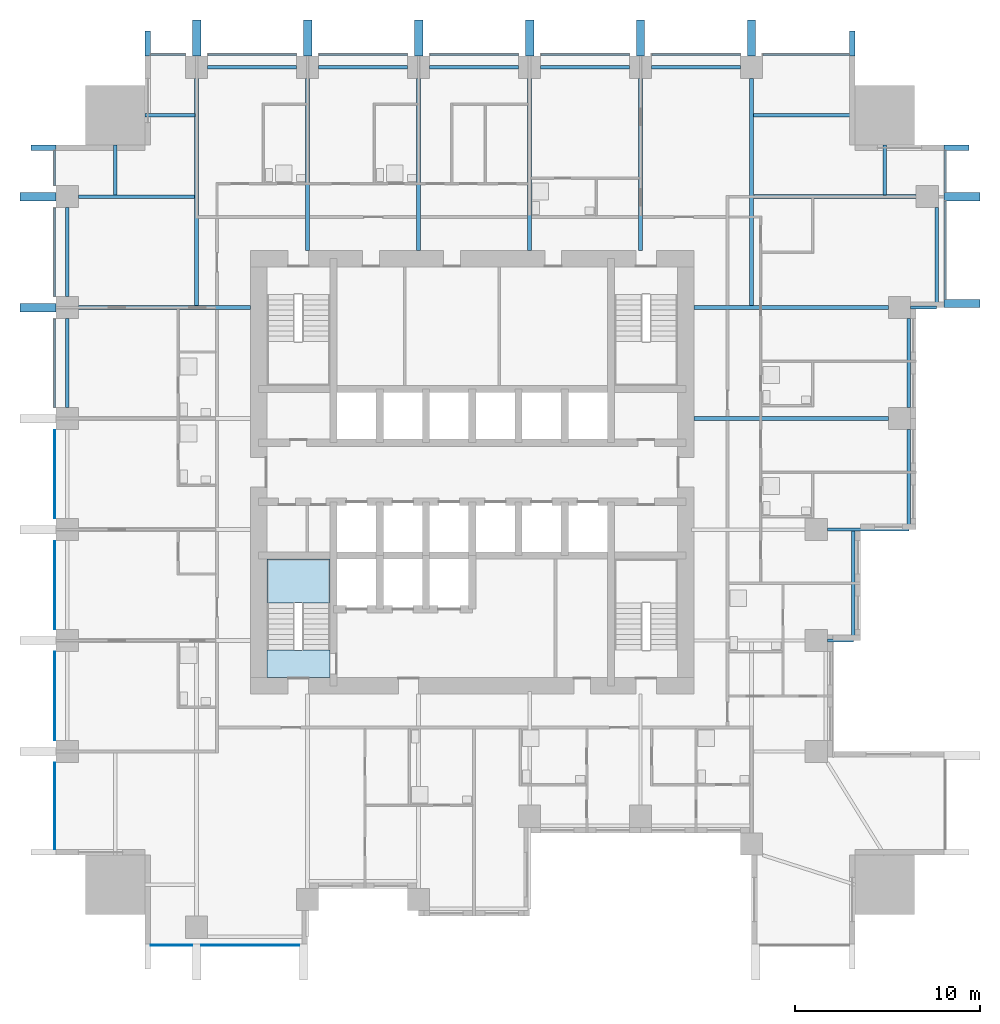
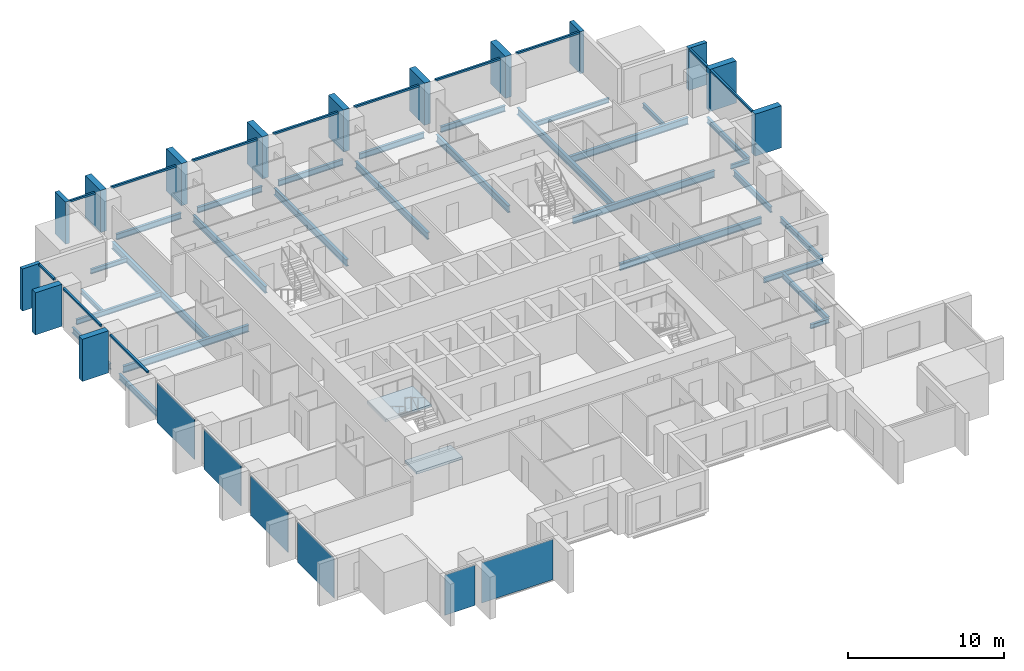
# One storey, part 2 of 10: 29 beams, 26 members, 6 plates, 2 slabs, 5 elements without a shape of their own.
"""IFC4 building model written with IfcOpenShell, lengths in metres."""

from ifc_helpers import new_model, si_unit, direction, frame, origin, origin_2d, place, context, subcontext, project, spatial, polyline, rectangle, i_section, outline, extrude, material, layer, layer_set, material_profile, profile_set, type_object, element, aggregate, save


model = new_model("IFC4")

# Units and contexts
model_context = context("Model", 3, precision=1e-05, world=origin(), true_north=direction((0.0, 1.0)))
body_context = subcontext(model_context, "Body", "Model", "MODEL_VIEW")
ifc_project = project(units=[si_unit("LENGTHUNIT", "METRE"), si_unit("AREAUNIT", "SQUARE_METRE"), si_unit("VOLUMEUNIT", "CUBIC_METRE"), si_unit("PLANEANGLEUNIT", "RADIAN"), si_unit("MASSUNIT", "GRAM", prefix="KILO")], contexts=[model_context])

# Site, building, storey
site_placement = place(None, origin())
site = spatial("IfcSite", under=ifc_project, at=site_placement, CompositionType="ELEMENT")
building_placement = place(site_placement, origin())
building = spatial("IfcBuilding", under=site, at=building_placement, Name="Amberfall Residences", CompositionType="ELEMENT")
storey_placement = place(building_placement, frame((0.0, 0.0, 49.89990234375)))
storey = spatial("IfcBuildingStorey", under=building, at=storey_placement, Name="L13", CompositionType="ELEMENT", Elevation=49.89990234375)

# Curtain wall, members
ifc_material_1 = material(Name="Bronze anodised aluminium and glass", Category="aluminium")
curtain_wall_type = type_object("IfcCurtainWallType", Name="Curtain wall CW1 tower unit", PredefinedType="USERDEFINED", material=ifc_material_1)
curtain_wall_1_placement = place(storey_placement, origin())
curtain_wall_1 = element("IfcCurtainWall", 1, at=curtain_wall_1_placement, inside=storey, type_object=curtain_wall_type, Name="Curtain wall L13 E E10", ObjectType="UNITISED CURTAIN WALL", PredefinedType="USERDEFINED")
ifc_material_2 = material(Name="Bronze anodised aluminium", Category="aluminium")
ifc_material_profile_1 = material_profile(ifc_material_2, rectangle(XDim=0.14990234375, YDim=0.14990234375, at=origin_2d()), Name="CW1 transom 150 x 150 bronze")
ifc_profile_set_1 = profile_set([ifc_material_profile_1], Name="Bronze anodised aluminium")
member_type_1 = type_object("IfcMemberType", Name="CW1 transom 150 x 150 bronze", PredefinedType="USERDEFINED", material=ifc_profile_set_1)
member_1_placement = place(storey_placement, frame((100.074951171875, 54.85009765625, 2.97509765625), z_axis=(0.0, 1.0, 0.0), x_axis=(-1.0, 0.0, 0.0)))
member_1 = element("IfcMember", 2, at=member_1_placement, type_object=member_type_1, Name="CW1 transom 1.1", ObjectType="TRANSOM", PredefinedType="USERDEFINED", context=body_context, shape_type="SweptSolid", body=[
    extrude(rectangle(XDim=0.14990234375, YDim=0.14990234375, at=origin_2d()), origin(), (0.0, 0.0, 1.0), 5.324951171875),
])
member_2_placement = place(storey_placement, frame((100.074951171875, 60.625, 2.97509765625), z_axis=(0.0, 1.0, 0.0), x_axis=(-1.0, 0.0, 0.0)))
member_2 = element("IfcMember", 3, at=member_2_placement, type_object=member_type_1, Name="CW1 transom 2.1", ObjectType="TRANSOM", PredefinedType="USERDEFINED", context=body_context, shape_type="SweptSolid", body=[
    extrude(rectangle(XDim=0.14990234375, YDim=0.14990234375, at=origin_2d()), origin(), (0.0, 0.0, 1.0), 2.27490234375),
])

curtain_wall_2_placement = place(storey_placement, origin())
curtain_wall_2 = element("IfcCurtainWall", 4, at=curtain_wall_2_placement, inside=storey, type_object=curtain_wall_type, Name="Curtain wall L13 N N1", ObjectType="UNITISED CURTAIN WALL", PredefinedType="USERDEFINED")
member_3_placement = place(storey_placement, frame((94.89990234375, 68.074951171875, 2.97509765625), z_axis=(-1.0, 0.0, 0.0), x_axis=(0.0, -1.0, 0.0)))
member_3 = element("IfcMember", 5, at=member_3_placement, type_object=member_type_1, Name="CW1 transom 1.1", ObjectType="TRANSOM", PredefinedType="USERDEFINED", context=body_context, shape_type="SweptSolid", body=[
    extrude(rectangle(XDim=0.14990234375, YDim=0.14990234375, at=origin_2d()), origin(), (0.0, 0.0, 1.0), 4.69482421875),
])
member_4_placement = place(storey_placement, frame((88.9951171875, 68.074951171875, 2.97509765625), z_axis=(-1.0, 0.0, 0.0), x_axis=(0.0, -1.0, 0.0)))
member_4 = element("IfcMember", 6, at=member_4_placement, type_object=member_type_1, Name="CW1 transom 2.1", ObjectType="TRANSOM", PredefinedType="USERDEFINED", context=body_context, shape_type="SweptSolid", body=[
    extrude(rectangle(XDim=0.14990234375, YDim=0.14990234375, at=origin_2d()), origin(), (0.0, 0.0, 1.0), 4.7900390625),
])
member_5_placement = place(storey_placement, frame((82.9951171875, 68.074951171875, 2.97509765625), z_axis=(-1.0, 0.0, 0.0), x_axis=(0.0, -1.0, 0.0)))
member_5 = element("IfcMember", 7, at=member_5_placement, type_object=member_type_1, Name="CW1 transom 3.1", ObjectType="TRANSOM", PredefinedType="USERDEFINED", context=body_context, shape_type="SweptSolid", body=[
    extrude(rectangle(XDim=0.14990234375, YDim=0.14990234375, at=origin_2d()), origin(), (0.0, 0.0, 1.0), 4.7900390625),
])
member_6_placement = place(storey_placement, frame((76.9951171875, 68.074951171875, 2.97509765625), z_axis=(-1.0, 0.0, 0.0), x_axis=(0.0, -1.0, 0.0)))
member_6 = element("IfcMember", 8, at=member_6_placement, type_object=member_type_1, Name="CW1 transom 4.1", ObjectType="TRANSOM", PredefinedType="USERDEFINED", context=body_context, shape_type="SweptSolid", body=[
    extrude(rectangle(XDim=0.14990234375, YDim=0.14990234375, at=origin_2d()), origin(), (0.0, 0.0, 1.0), 4.7900390625),
])
member_7_placement = place(storey_placement, frame((70.9951171875, 68.074951171875, 2.97509765625), z_axis=(-1.0, 0.0, 0.0), x_axis=(0.0, -1.0, 0.0)))
member_7 = element("IfcMember", 9, at=member_7_placement, type_object=member_type_1, Name="CW1 transom 5.1", ObjectType="TRANSOM", PredefinedType="USERDEFINED", context=body_context, shape_type="SweptSolid", body=[
    extrude(rectangle(XDim=0.14990234375, YDim=0.14990234375, at=origin_2d()), origin(), (0.0, 0.0, 1.0), 4.7900390625),
])
member_8_placement = place(storey_placement, frame((64.9951171875, 68.074951171875, 2.97509765625), z_axis=(-1.0, 0.0, 0.0), x_axis=(0.0, -1.0, 0.0)))
member_8 = element("IfcMember", 10, at=member_8_placement, type_object=member_type_1, Name="CW1 transom 6.1", ObjectType="TRANSOM", PredefinedType="USERDEFINED", context=body_context, shape_type="SweptSolid", body=[
    extrude(rectangle(XDim=0.14990234375, YDim=0.14990234375, at=origin_2d()), origin(), (0.0, 0.0, 1.0), 4.7900390625),
])
member_9_placement = place(storey_placement, frame((58.9951171875, 68.074951171875, 2.97509765625), z_axis=(-1.0, 0.0, 0.0), x_axis=(0.0, -1.0, 0.0)))
member_9 = element("IfcMember", 11, at=member_9_placement, type_object=member_type_1, Name="CW1 transom 7.1", ObjectType="TRANSOM", PredefinedType="USERDEFINED", context=body_context, shape_type="SweptSolid", body=[
    extrude(rectangle(XDim=0.14990234375, YDim=0.14990234375, at=origin_2d()), origin(), (0.0, 0.0, 1.0), 1.89501953125),
])

curtain_wall_3_placement = place(storey_placement, origin())
curtain_wall_3 = element("IfcCurtainWall", 12, at=curtain_wall_3_placement, inside=storey, type_object=curtain_wall_type, Name="Curtain wall L13 W W1", ObjectType="UNITISED CURTAIN WALL", PredefinedType="USERDEFINED")
member_10_placement = place(storey_placement, frame((51.925048828125, 62.89990234375, 2.97509765625), z_axis=(0.0, -1.0, 0.0), x_axis=(1.0, 0.0, 0.0)))
member_10 = element("IfcMember", 13, at=member_10_placement, type_object=member_type_1, Name="CW1 transom 1.1", ObjectType="TRANSOM", PredefinedType="USERDEFINED", context=body_context, shape_type="SweptSolid", body=[
    extrude(rectangle(XDim=0.14990234375, YDim=0.14990234375, at=origin_2d()), origin(), (0.0, 0.0, 1.0), 1.89501953125),
])
member_11_placement = place(storey_placement, frame((51.925048828125, 59.794921875, 2.97509765625), z_axis=(0.0, -1.0, 0.0), x_axis=(1.0, 0.0, 0.0)))
member_11 = element("IfcMember", 14, at=member_11_placement, type_object=member_type_1, Name="CW1 transom 2.1", ObjectType="TRANSOM", PredefinedType="USERDEFINED", context=body_context, shape_type="SweptSolid", body=[
    extrude(rectangle(XDim=0.14990234375, YDim=0.14990234375, at=origin_2d()), origin(), (0.0, 0.0, 1.0), 4.7900390625),
])
member_12_placement = place(storey_placement, frame((51.925048828125, 53.794921875, 2.97509765625), z_axis=(0.0, -1.0, 0.0), x_axis=(1.0, 0.0, 0.0)))
member_12 = element("IfcMember", 15, at=member_12_placement, type_object=member_type_1, Name="CW1 transom 3.1", ObjectType="TRANSOM", PredefinedType="USERDEFINED", context=body_context, shape_type="SweptSolid", body=[
    extrude(rectangle(XDim=0.14990234375, YDim=0.14990234375, at=origin_2d()), origin(), (0.0, 0.0, 1.0), 4.7900390625),
])

# Beams
ifc_material_3 = material(Name="Steel S355", Category="steel")
ifc_material_profile_2 = material_profile(ifc_material_3, i_section(OverallWidth=0.171142578125, OverallDepth=0.351318359375, WebThickness=0.007080078125, FlangeThickness=0.009765625, FilletRadius=0.01025390625, at=origin_2d()), Name="UB 356x171x45")
ifc_profile_set_2 = profile_set([ifc_material_profile_2], Name="Steel S355")
beam_type_1 = type_object("IfcBeamType", Name="Cantilever girder UB 356x171x45", PredefinedType="BEAM", material=ifc_profile_set_2)
for number, where, z_axis, x_axis, name in (
    (16, (93.699951171875, 36.39990234375, -0.425537109375), (1.0, 0.0, 0.0), (0.0, 1.0, 0.0), "Cantilever girder B8 L13 19"),
    (17, (98.199951171875, 54.39990234375, -0.425537109375), (1.0, 0.0, 0.0), (0.0, 1.0, 0.0), "Cantilever girder B8 L13 21"),
):
    element("IfcBeam", number, at=place(storey_placement, frame(where, z_axis=z_axis, x_axis=x_axis)), inside=storey, type_object=beam_type_1, Name=name, PredefinedType="BEAM", context=body_context, shape_type="SweptSolid", body=[
        extrude(i_section(OverallWidth=0.171142578125, OverallDepth=0.351318359375, WebThickness=0.007080078125, FlangeThickness=0.009765625, FilletRadius=0.01025390625, at=origin_2d()), origin(), (0.0, 0.0, 1.0), 1.400146484375),
    ])
ifc_material_profile_3 = material_profile(ifc_material_3, i_section(OverallWidth=0.177734375, OverallDepth=0.402587890625, WebThickness=0.0078125, FlangeThickness=0.010986328125, FilletRadius=0.01025390625, at=origin_2d()), Name="UB 406x178x54")
ifc_profile_set_3 = profile_set([ifc_material_profile_3], Name="Steel S355")
beam_type_2 = type_object("IfcBeamType", Name="Cantilever girder UB 406x178x54", PredefinedType="BEAM", material=ifc_profile_set_3)
beam_1_placement = place(storey_placement, frame((93.699951171875, 42.39990234375, -0.451171875), z_axis=(1.0, 0.0, 0.0), x_axis=(0.0, 1.0, 0.0)))
element("IfcBeam", 18, at=beam_1_placement, inside=storey, type_object=beam_type_2, Name="Cantilever girder B9 L13 20", PredefinedType="BEAM", context=body_context, shape_type="SweptSolid", body=[
    extrude(i_section(OverallWidth=0.177734375, OverallDepth=0.402587890625, WebThickness=0.0078125, FlangeThickness=0.010986328125, FilletRadius=0.01025390625, at=origin_2d()), origin(), (0.0, 0.0, 1.0), 4.400146484375),
])

# Member
ifc_material_profile_4 = material_profile(ifc_material_2, rectangle(XDim=1.35009765625, YDim=0.300048828125, at=origin_2d()), Name="Corner fin 300 x 1350 bronze")
ifc_profile_set_4 = profile_set([ifc_material_profile_4], Name="Bronze anodised aluminium")
member_type_2 = type_object("IfcMemberType", Name="Corner fin 300 x 1350 bronze", PredefinedType="MULLION", material=ifc_profile_set_4)
member_13_placement = place(storey_placement, frame((100.675048828125, 63.050048828125, -0.25), z_axis=(0.0, 0.0, 1.0), x_axis=(-1.0, 0.0, 0.0)))
member_13 = element("IfcMember", 19, at=member_13_placement, type_object=member_type_2, Name="CW FIN 3", PredefinedType="MULLION", context=body_context, shape_type="SweptSolid", body=[
    extrude(rectangle(XDim=1.35009765625, YDim=0.300048828125, at=origin_2d()), origin(), (0.0, 0.0, 1.0), 3.300048828125),
])

member_14_placement = place(storey_placement, frame((95.050048828125, 68.675048828125, -0.25), z_axis=(0.0, 0.0, 1.0), x_axis=(0.0, -1.0, 0.0)))
member_14 = element("IfcMember", 20, at=member_14_placement, type_object=member_type_2, Name="CW FIN 1", PredefinedType="MULLION", context=body_context, shape_type="SweptSolid", body=[
    extrude(rectangle(XDim=1.35009765625, YDim=0.300048828125, at=origin_2d()), origin(), (0.0, 0.0, 1.0), 3.300048828125),
])

member_15_placement = place(storey_placement, frame((56.949951171875, 68.675048828125, -0.25), z_axis=(0.0, 0.0, 1.0), x_axis=(0.0, -1.0, 0.0)))
member_15 = element("IfcMember", 21, at=member_15_placement, type_object=member_type_2, Name="CW FIN 8", PredefinedType="MULLION", context=body_context, shape_type="SweptSolid", body=[
    extrude(rectangle(XDim=1.35009765625, YDim=0.300048828125, at=origin_2d()), origin(), (0.0, 0.0, 1.0), 3.300048828125),
])

member_16_placement = place(storey_placement, frame((51.324951171875, 63.050048828125, -0.25), z_axis=(0.0, 0.0, 1.0), x_axis=(1.0, 0.0, 0.0)))
member_16 = element("IfcMember", 22, at=member_16_placement, type_object=member_type_2, Name="CW FIN 1", PredefinedType="MULLION", context=body_context, shape_type="SweptSolid", body=[
    extrude(rectangle(XDim=1.35009765625, YDim=0.300048828125, at=origin_2d()), origin(), (0.0, 0.0, 1.0), 3.300048828125),
])

# Beams
ifc_material_profile_5 = material_profile(ifc_material_3, i_section(OverallWidth=0.18994140625, OverallDepth=0.453369140625, WebThickness=0.008544921875, FlangeThickness=0.0126953125, FilletRadius=0.01025390625, at=origin_2d()), Name="UB 457x191x67")
ifc_profile_set_5 = profile_set([ifc_material_profile_5], Name="Steel S355")
beam_type_3 = type_object("IfcBeamType", Name="Edge beam UB 457x191x67", PredefinedType="SPANDREL", material=ifc_profile_set_5)
beam_2_placement = place(storey_placement, frame((95.10009765625, 36.47998046875, -0.4765625), z_axis=(0.0, 1.0, 0.0), x_axis=(-1.0, 0.0, 0.0)))
element("IfcBeam", 23, at=beam_2_placement, inside=storey, type_object=beam_type_3, Name="Edge beam B1 L13 15", PredefinedType="SPANDREL", context=body_context, shape_type="SweptSolid", body=[
    extrude(i_section(OverallWidth=0.18994140625, OverallDepth=0.453369140625, WebThickness=0.008544921875, FlangeThickness=0.0126953125, FilletRadius=0.01025390625, at=origin_2d()), origin(), (0.0, 0.0, 1.0), 5.840087890625),
])
beam_3_placement = place(storey_placement, frame((98.10009765625, 42.47998046875, -0.4765625), z_axis=(0.0, 1.0, 0.0), x_axis=(-1.0, 0.0, 0.0)))
element("IfcBeam", 24, at=beam_3_placement, inside=storey, type_object=beam_type_3, Name="Edge beam B1 L13 16", PredefinedType="SPANDREL", context=body_context, shape_type="SweptSolid", body=[
    extrude(i_section(OverallWidth=0.18994140625, OverallDepth=0.453369140625, WebThickness=0.008544921875, FlangeThickness=0.0126953125, FilletRadius=0.01025390625, at=origin_2d()), origin(), (0.0, 0.0, 1.0), 5.320068359375),
])
beam_4_placement = place(storey_placement, frame((98.10009765625, 49.0, -0.4765625), z_axis=(0.0, 1.0, 0.0), x_axis=(-1.0, 0.0, 0.0)))
element("IfcBeam", 25, at=beam_4_placement, inside=storey, type_object=beam_type_3, Name="Edge beam B1 L13 17", PredefinedType="SPANDREL", context=body_context, shape_type="SweptSolid", body=[
    extrude(i_section(OverallWidth=0.18994140625, OverallDepth=0.453369140625, WebThickness=0.008544921875, FlangeThickness=0.0126953125, FilletRadius=0.01025390625, at=origin_2d()), origin(), (0.0, 0.0, 1.0), 4.800048828125),
])
beam_5_placement = place(storey_placement, frame((99.60009765625, 54.47998046875, -0.4765625), z_axis=(0.0, 1.0, 0.0), x_axis=(-1.0, 0.0, 0.0)))
element("IfcBeam", 26, at=beam_5_placement, inside=storey, type_object=beam_type_3, Name="Edge beam B1 L13 18", PredefinedType="SPANDREL", context=body_context, shape_type="SweptSolid", body=[
    extrude(i_section(OverallWidth=0.18994140625, OverallDepth=0.453369140625, WebThickness=0.008544921875, FlangeThickness=0.0126953125, FilletRadius=0.01025390625, at=origin_2d()), origin(), (0.0, 0.0, 1.0), 5.320068359375),
])
for number, where, z_axis, x_axis, name in (
    (27, (60.199951171875, 67.39990234375, -0.4765625), (1.0, 0.0, 0.0), (0.0, 1.0, 0.0), "Edge beam B1 L13 28"),
    (28, (66.199951171875, 67.39990234375, -0.4765625), (1.0, 0.0, 0.0), (0.0, 1.0, 0.0), "Edge beam B1 L13 29"),
    (29, (72.199951171875, 67.39990234375, -0.4765625), (1.0, 0.0, 0.0), (0.0, 1.0, 0.0), "Edge beam B1 L13 30"),
    (30, (78.199951171875, 67.39990234375, -0.4765625), (1.0, 0.0, 0.0), (0.0, 1.0, 0.0), "Edge beam B1 L13 31"),
    (31, (84.199951171875, 67.39990234375, -0.4765625), (1.0, 0.0, 0.0), (0.0, 1.0, 0.0), "Edge beam B1 L13 32"),
    (32, (52.60009765625, 49.0, -0.4765625), (0.0, 1.0, 0.0), (-1.0, 0.0, 0.0), "Edge beam B1 L13 42"),
    (33, (52.60009765625, 55.0, -0.4765625), (0.0, 1.0, 0.0), (-1.0, 0.0, 0.0), "Edge beam B1 L13 43"),
):
    element("IfcBeam", number, at=place(storey_placement, frame(where, z_axis=z_axis, x_axis=x_axis)), inside=storey, type_object=beam_type_3, Name=name, PredefinedType="SPANDREL", context=body_context, shape_type="SweptSolid", body=[
        extrude(i_section(OverallWidth=0.18994140625, OverallDepth=0.453369140625, WebThickness=0.008544921875, FlangeThickness=0.0126953125, FilletRadius=0.01025390625, at=origin_2d()), origin(), (0.0, 0.0, 1.0), 4.800048828125),
    ])

# Member
ifc_material_profile_6 = material_profile(ifc_material_2, rectangle(XDim=1.949951171875, YDim=0.449951171875, at=origin_2d()), Name="Fin 450 x 1950 bronze")
ifc_profile_set_6 = profile_set([ifc_material_profile_6], Name="Bronze anodised aluminium")
member_type_3 = type_object("IfcMemberType", Name="Fin 450 x 1950 bronze", PredefinedType="MULLION", material=ifc_profile_set_6)
member_17_placement = place(storey_placement, frame((100.97509765625, 54.625, -0.25), z_axis=(0.0, 0.0, 1.0), x_axis=(-1.0, 0.0, 0.0)))
member_17 = element("IfcMember", 34, at=member_17_placement, type_object=member_type_3, Name="CW FIN 1", PredefinedType="MULLION", context=body_context, shape_type="SweptSolid", body=[
    extrude(rectangle(XDim=1.949951171875, YDim=0.449951171875, at=origin_2d()), origin(), (0.0, 0.0, 1.0), 3.300048828125),
])

member_18_placement = place(storey_placement, frame((100.97509765625, 60.39990234375, -0.25), z_axis=(0.0, 0.0, 1.0), x_axis=(-1.0, 0.0, 0.0)))
member_18 = element("IfcMember", 35, at=member_18_placement, type_object=member_type_3, Name="CW FIN 2", PredefinedType="MULLION", context=body_context, shape_type="SweptSolid", body=[
    extrude(rectangle(XDim=1.949951171875, YDim=0.449951171875, at=origin_2d()), origin(), (0.0, 0.0, 1.0), 3.300048828125),
])

aggregate(curtain_wall_1, [member_17, member_18, member_13, member_1, member_2])

member_19_placement = place(storey_placement, frame((89.60009765625, 68.97509765625, -0.25), z_axis=(0.0, 0.0, 1.0), x_axis=(0.0, -1.0, 0.0)))
member_19 = element("IfcMember", 36, at=member_19_placement, type_object=member_type_3, Name="CW FIN 2", PredefinedType="MULLION", context=body_context, shape_type="SweptSolid", body=[
    extrude(rectangle(XDim=1.949951171875, YDim=0.449951171875, at=origin_2d()), origin(), (0.0, 0.0, 1.0), 3.300048828125),
])

member_20_placement = place(storey_placement, frame((83.60009765625, 68.97509765625, -0.25), z_axis=(0.0, 0.0, 1.0), x_axis=(0.0, -1.0, 0.0)))
member_20 = element("IfcMember", 37, at=member_20_placement, type_object=member_type_3, Name="CW FIN 3", PredefinedType="MULLION", context=body_context, shape_type="SweptSolid", body=[
    extrude(rectangle(XDim=1.949951171875, YDim=0.449951171875, at=origin_2d()), origin(), (0.0, 0.0, 1.0), 3.300048828125),
])

member_21_placement = place(storey_placement, frame((77.60009765625, 68.97509765625, -0.25), z_axis=(0.0, 0.0, 1.0), x_axis=(0.0, -1.0, 0.0)))
member_21 = element("IfcMember", 38, at=member_21_placement, type_object=member_type_3, Name="CW FIN 4", PredefinedType="MULLION", context=body_context, shape_type="SweptSolid", body=[
    extrude(rectangle(XDim=1.949951171875, YDim=0.449951171875, at=origin_2d()), origin(), (0.0, 0.0, 1.0), 3.300048828125),
])

member_22_placement = place(storey_placement, frame((71.60009765625, 68.97509765625, -0.25), z_axis=(0.0, 0.0, 1.0), x_axis=(0.0, -1.0, 0.0)))
member_22 = element("IfcMember", 39, at=member_22_placement, type_object=member_type_3, Name="CW FIN 5", PredefinedType="MULLION", context=body_context, shape_type="SweptSolid", body=[
    extrude(rectangle(XDim=1.949951171875, YDim=0.449951171875, at=origin_2d()), origin(), (0.0, 0.0, 1.0), 3.300048828125),
])

member_23_placement = place(storey_placement, frame((65.60009765625, 68.97509765625, -0.25), z_axis=(0.0, 0.0, 1.0), x_axis=(0.0, -1.0, 0.0)))
member_23 = element("IfcMember", 40, at=member_23_placement, type_object=member_type_3, Name="CW FIN 6", PredefinedType="MULLION", context=body_context, shape_type="SweptSolid", body=[
    extrude(rectangle(XDim=1.949951171875, YDim=0.449951171875, at=origin_2d()), origin(), (0.0, 0.0, 1.0), 3.300048828125),
])

member_24_placement = place(storey_placement, frame((59.60009765625, 68.97509765625, -0.25), z_axis=(0.0, 0.0, 1.0), x_axis=(0.0, -1.0, 0.0)))
member_24 = element("IfcMember", 41, at=member_24_placement, type_object=member_type_3, Name="CW FIN 7", PredefinedType="MULLION", context=body_context, shape_type="SweptSolid", body=[
    extrude(rectangle(XDim=1.949951171875, YDim=0.449951171875, at=origin_2d()), origin(), (0.0, 0.0, 1.0), 3.300048828125),
])

aggregate(curtain_wall_2, [member_14, member_19, member_20, member_21, member_22, member_23, member_24, member_15, member_3, member_4, member_5, member_6, member_7, member_8, member_9])

member_25_placement = place(storey_placement, frame((51.02490234375, 60.39990234375, -0.25), z_axis=(0.0, 0.0, 1.0), x_axis=(1.0, 0.0, 0.0)))
member_25 = element("IfcMember", 42, at=member_25_placement, type_object=member_type_3, Name="CW FIN 2", PredefinedType="MULLION", context=body_context, shape_type="SweptSolid", body=[
    extrude(rectangle(XDim=1.949951171875, YDim=0.449951171875, at=origin_2d()), origin(), (0.0, 0.0, 1.0), 3.300048828125),
])

member_26_placement = place(storey_placement, frame((51.02490234375, 54.39990234375, -0.25), z_axis=(0.0, 0.0, 1.0), x_axis=(1.0, 0.0, 0.0)))
member_26 = element("IfcMember", 43, at=member_26_placement, type_object=member_type_3, Name="CW FIN 3", PredefinedType="MULLION", context=body_context, shape_type="SweptSolid", body=[
    extrude(rectangle(XDim=1.949951171875, YDim=0.449951171875, at=origin_2d()), origin(), (0.0, 0.0, 1.0), 3.300048828125),
])

# Beams
ifc_material_profile_7 = material_profile(ifc_material_3, i_section(OverallWidth=0.177734375, OverallDepth=0.402587890625, WebThickness=0.0078125, FlangeThickness=0.010986328125, FilletRadius=0.01025390625, at=origin_2d()), Name="UB 406x178x54")
ifc_profile_set_7 = profile_set([ifc_material_profile_7], Name="Steel S355")
beam_type_4 = type_object("IfcBeamType", Name="Floor girder UB 406x178x54", PredefinedType="BEAM", material=ifc_profile_set_7)
beam_6_placement = place(storey_placement, frame((53.199951171875, 60.39990234375, -0.451171875), z_axis=(1.0, 0.0, 0.0), x_axis=(0.0, 1.0, 0.0)))
element("IfcBeam", 44, at=beam_6_placement, inside=storey, type_object=beam_type_4, Name="Floor girder B4 L13 49", PredefinedType="BEAM", context=body_context, shape_type="SweptSolid", body=[
    extrude(i_section(OverallWidth=0.177734375, OverallDepth=0.402587890625, WebThickness=0.0078125, FlangeThickness=0.010986328125, FilletRadius=0.01025390625, at=origin_2d()), origin(), (0.0, 0.0, 1.0), 6.280029296875),
])
ifc_material_profile_8 = material_profile(ifc_material_3, i_section(OverallWidth=0.210693359375, OverallDepth=0.53955078125, WebThickness=0.01171875, FlangeThickness=0.018798828125, FilletRadius=0.0126953125, at=origin_2d()), Name="UB 533x210x109")
ifc_profile_set_8 = profile_set([ifc_material_profile_8], Name="Steel S355")
beam_type_5 = type_object("IfcBeamType", Name="Floor girder UB 533x210x109", PredefinedType="BEAM", material=ifc_profile_set_8)
for number, where, z_axis, x_axis, name in (
    (45, (59.60009765625, 66.800048828125, -0.51953125), (0.0, -1.0, 0.0), (1.0, 0.0, 0.0), "Floor girder B2 L13 33"),
    (46, (89.60009765625, 66.800048828125, -0.51953125), (0.0, -1.0, 0.0), (1.0, 0.0, 0.0), "Floor girder B2 L13 38"),
):
    element("IfcBeam", number, at=place(storey_placement, frame(where, z_axis=z_axis, x_axis=x_axis)), inside=storey, type_object=beam_type_5, Name=name, PredefinedType="BEAM", context=body_context, shape_type="SweptSolid", body=[
        extrude(i_section(OverallWidth=0.210693359375, OverallDepth=0.53955078125, WebThickness=0.01171875, FlangeThickness=0.018798828125, FilletRadius=0.0126953125, at=origin_2d()), origin(), (0.0, 0.0, 1.0), 12.300537109375),
    ])
ifc_material_profile_9 = material_profile(ifc_material_3, i_section(OverallWidth=0.209228515625, OverallDepth=0.533203125, WebThickness=0.010009765625, FlangeThickness=0.015625, FilletRadius=0.0126953125, at=origin_2d()), Name="UB 533x210x92")
ifc_profile_set_9 = profile_set([ifc_material_profile_9], Name="Steel S355")
beam_type_6 = type_object("IfcBeamType", Name="Floor girder UB 533x210x92", PredefinedType="BEAM", material=ifc_profile_set_9)
for number, where, z_axis, x_axis, name in (
    (47, (97.0, 48.39990234375, -0.516357421875), (-1.0, 0.0, 0.0), (0.0, -1.0, 0.0), "Floor girder B3 L13 25"),
    (48, (97.0, 54.39990234375, -0.516357421875), (-1.0, 0.0, 0.0), (0.0, -1.0, 0.0), "Floor girder B3 L13 26"),
):
    element("IfcBeam", number, at=place(storey_placement, frame(where, z_axis=z_axis, x_axis=x_axis)), inside=storey, type_object=beam_type_6, Name=name, PredefinedType="BEAM", context=body_context, shape_type="SweptSolid", body=[
        extrude(i_section(OverallWidth=0.209228515625, OverallDepth=0.533203125, WebThickness=0.010009765625, FlangeThickness=0.015625, FilletRadius=0.0126953125, at=origin_2d()), origin(), (0.0, 0.0, 1.0), 10.5),
    ])
beam_7_placement = place(storey_placement, frame((98.5, 60.39990234375, -0.516357421875), z_axis=(-1.0, 0.0, 0.0), x_axis=(0.0, -1.0, 0.0)))
element("IfcBeam", 49, at=beam_7_placement, inside=storey, type_object=beam_type_6, Name="Floor girder B3 L13 27", PredefinedType="BEAM", context=body_context, shape_type="SweptSolid", body=[
    extrude(i_section(OverallWidth=0.209228515625, OverallDepth=0.533203125, WebThickness=0.010009765625, FlangeThickness=0.015625, FilletRadius=0.0126953125, at=origin_2d()), origin(), (0.0, 0.0, 1.0), 8.780029296875),
])
for number, where, z_axis, x_axis, name in (
    (50, (65.60009765625, 66.800048828125, -0.516357421875), (0.0, -1.0, 0.0), (1.0, 0.0, 0.0), "Floor girder B3 L13 34"),
    (51, (71.60009765625, 66.800048828125, -0.516357421875), (0.0, -1.0, 0.0), (1.0, 0.0, 0.0), "Floor girder B3 L13 35"),
    (52, (77.60009765625, 66.800048828125, -0.516357421875), (0.0, -1.0, 0.0), (1.0, 0.0, 0.0), "Floor girder B3 L13 36"),
    (53, (83.60009765625, 66.800048828125, -0.516357421875), (0.0, -1.0, 0.0), (1.0, 0.0, 0.0), "Floor girder B3 L13 37"),
    (54, (53.199951171875, 54.39990234375, -0.516357421875), (1.0, 0.0, 0.0), (0.0, 1.0, 0.0), "Floor girder B3 L13 48"),
):
    element("IfcBeam", number, at=place(storey_placement, frame(where, z_axis=z_axis, x_axis=x_axis)), inside=storey, type_object=beam_type_6, Name=name, PredefinedType="BEAM", context=body_context, shape_type="SweptSolid", body=[
        extrude(i_section(OverallWidth=0.209228515625, OverallDepth=0.533203125, WebThickness=0.010009765625, FlangeThickness=0.015625, FilletRadius=0.0126953125, at=origin_2d()), origin(), (0.0, 0.0, 1.0), 9.300048828125),
    ])
ifc_material_profile_10 = material_profile(ifc_material_3, i_section(OverallWidth=0.171142578125, OverallDepth=0.351318359375, WebThickness=0.007080078125, FlangeThickness=0.009765625, FilletRadius=0.01025390625, at=origin_2d()), Name="UB 356x171x45")
ifc_profile_set_10 = profile_set([ifc_material_profile_10], Name="Steel S355")
beam_type_7 = type_object("IfcBeamType", Name="Link beam UB 356x171x45", PredefinedType="BEAM", material=ifc_profile_set_10)
beam_8_placement = place(storey_placement, frame((95.199951171875, 64.800048828125, -0.425537109375), z_axis=(-1.0, 0.0, 0.0), x_axis=(0.0, -1.0, 0.0)))
element("IfcBeam", 55, at=beam_8_placement, inside=storey, type_object=beam_type_7, Name="Link beam B7 L13 54", PredefinedType="BEAM", context=body_context, shape_type="SweptSolid", body=[
    extrude(i_section(OverallWidth=0.171142578125, OverallDepth=0.351318359375, WebThickness=0.007080078125, FlangeThickness=0.009765625, FilletRadius=0.01025390625, at=origin_2d()), origin(), (0.0, 0.0, 1.0), 5.504638671875),
])
beam_9_placement = place(storey_placement, frame((96.800048828125, 63.199951171875, -0.425537109375), z_axis=(0.0, -1.0, 0.0), x_axis=(1.0, 0.0, 0.0)))
element("IfcBeam", 56, at=beam_9_placement, inside=storey, type_object=beam_type_7, Name="Link beam B7 L13 55", PredefinedType="BEAM", context=body_context, shape_type="SweptSolid", body=[
    extrude(i_section(OverallWidth=0.171142578125, OverallDepth=0.351318359375, WebThickness=0.007080078125, FlangeThickness=0.009765625, FilletRadius=0.01025390625, at=origin_2d()), origin(), (0.0, 0.0, 1.0), 2.705322265625),
])
beam_10_placement = place(storey_placement, frame((56.800048828125, 64.800048828125, -0.425537109375), z_axis=(1.0, 0.0, 0.0), x_axis=(0.0, 1.0, 0.0)))
element("IfcBeam", 57, at=beam_10_placement, inside=storey, type_object=beam_type_7, Name="Link beam B7 L13 56", PredefinedType="BEAM", context=body_context, shape_type="SweptSolid", body=[
    extrude(i_section(OverallWidth=0.171142578125, OverallDepth=0.351318359375, WebThickness=0.007080078125, FlangeThickness=0.009765625, FilletRadius=0.01025390625, at=origin_2d()), origin(), (0.0, 0.0, 1.0), 2.70458984375),
])
beam_11_placement = place(storey_placement, frame((55.199951171875, 63.199951171875, -0.425537109375), z_axis=(0.0, -1.0, 0.0), x_axis=(1.0, 0.0, 0.0)))
element("IfcBeam", 58, at=beam_11_placement, inside=storey, type_object=beam_type_7, Name="Link beam B7 L13 57", PredefinedType="BEAM", context=body_context, shape_type="SweptSolid", body=[
    extrude(i_section(OverallWidth=0.171142578125, OverallDepth=0.351318359375, WebThickness=0.007080078125, FlangeThickness=0.009765625, FilletRadius=0.01025390625, at=origin_2d()), origin(), (0.0, 0.0, 1.0), 2.720947265625),
])

# Curtain wall, plates
curtain_wall_4_placement = place(storey_placement, origin())
curtain_wall_4 = element("IfcCurtainWall", 59, at=curtain_wall_4_placement, inside=storey, type_object=curtain_wall_type, Name="Curtain wall L13 S S1", ObjectType="UNITISED CURTAIN WALL", PredefinedType="USERDEFINED")
ifc_material_4 = material(Name="Tinted double glazed unit", Category="glass")
ifc_layer_1 = layer(ifc_material_4, 0.035888671875)
ifc_layer_set_1 = layer_set([ifc_layer_1], Name="CW1 panel 36 glazing")
plate_type = type_object("IfcPlateType", Name="CW1 panel 36 glazing", PredefinedType="CURTAIN_PANEL", material=ifc_layer_set_1)
plate_1_placement = place(storey_placement, frame((58.237548828125, 19.925048828125, -0.249755859375), z_axis=(0.0, 0.0, 1.0), x_axis=(1.0, 0.0, 0.0)))
plate_1 = element("IfcPlate", 60, at=plate_1_placement, type_object=plate_type, Name="CW1 panel 1.1", PredefinedType="CURTAIN_PANEL", context=body_context, shape_type="SweptSolid", body=[
    extrude(rectangle(XDim=2.2509765625, YDim=0.035888671875, at=origin_2d()), origin(), (0.0, 0.0, 1.0), 3.14990234375),
])
plate_2_placement = place(storey_placement, frame((62.487548828125, 19.925048828125, -0.249755859375), z_axis=(0.0, 0.0, 1.0), x_axis=(1.0, 0.0, 0.0)))
plate_2 = element("IfcPlate", 61, at=plate_2_placement, type_object=plate_type, Name="CW1 panel 2.1", PredefinedType="CURTAIN_PANEL", context=body_context, shape_type="SweptSolid", body=[
    extrude(rectangle(XDim=5.301025390625, YDim=0.035888671875, at=origin_2d()), origin(), (0.0, 0.0, 1.0), 3.14990234375),
])
aggregate(curtain_wall_4, [plate_1, plate_2])

# Plate
plate_3_placement = place(storey_placement, frame((51.925048828125, 45.39990234375, -0.249755859375), z_axis=(0.0, 0.0, 1.0), x_axis=(0.0, -1.0, 0.0)))
plate_3 = element("IfcPlate", 62, at=plate_3_placement, type_object=plate_type, Name="CW1 panel 4.1", PredefinedType="CURTAIN_PANEL", context=body_context, shape_type="SweptSolid", body=[
    extrude(rectangle(XDim=4.76611328125, YDim=0.035888671875, at=origin_2d()), origin(), (0.0, 0.0, 1.0), 3.14990234375),
])

plate_4_placement = place(storey_placement, frame((51.925048828125, 39.39990234375, -0.249755859375), z_axis=(0.0, 0.0, 1.0), x_axis=(0.0, -1.0, 0.0)))
plate_4 = element("IfcPlate", 63, at=plate_4_placement, type_object=plate_type, Name="CW1 panel 5.1", PredefinedType="CURTAIN_PANEL", context=body_context, shape_type="SweptSolid", body=[
    extrude(rectangle(XDim=4.76611328125, YDim=0.035888671875, at=origin_2d()), origin(), (0.0, 0.0, 1.0), 3.14990234375),
])

plate_5_placement = place(storey_placement, frame((51.925048828125, 33.39990234375, -0.249755859375), z_axis=(0.0, 0.0, 1.0), x_axis=(0.0, -1.0, 0.0)))
plate_5 = element("IfcPlate", 64, at=plate_5_placement, type_object=plate_type, Name="CW1 panel 6.1", PredefinedType="CURTAIN_PANEL", context=body_context, shape_type="SweptSolid", body=[
    extrude(rectangle(XDim=4.76611328125, YDim=0.035888671875, at=origin_2d()), origin(), (0.0, 0.0, 1.0), 3.14990234375),
])

plate_6_placement = place(storey_placement, frame((51.925048828125, 27.447509765625, -0.249755859375), z_axis=(0.0, 0.0, 1.0), x_axis=(0.0, -1.0, 0.0)))
plate_6 = element("IfcPlate", 65, at=plate_6_placement, type_object=plate_type, Name="CW1 panel 7.1", PredefinedType="CURTAIN_PANEL", context=body_context, shape_type="SweptSolid", body=[
    extrude(rectangle(XDim=4.6708984375, YDim=0.035888671875, at=origin_2d()), origin(), (0.0, 0.0, 1.0), 3.14990234375),
])

aggregate(curtain_wall_3, [member_16, member_25, member_26, member_10, member_11, member_12, plate_3, plate_4, plate_5, plate_6])

# Stair, slabs
ifc_material_5 = material(Name="Concrete C40", Category="concrete")
stair_type = type_object("IfcStairType", Name="Exit stair 20 risers 165.0 mm", PredefinedType="HALF_TURN_STAIR", material=ifc_material_5)
stair_placement = place(storey_placement, origin())
stair = element("IfcStair", 66, at=stair_placement, inside=storey, type_object=stair_type, Name="L13 Exit stair 1", PredefinedType="HALF_TURN_STAIR")
ifc_layer_2 = layer(ifc_material_5, 0.199951171875)
ifc_layer_set_2 = layer_set([ifc_layer_2], Name="Stair landing 200")
slab_type = type_object("IfcSlabType", Name="Stair landing 200", PredefinedType="LANDING", material=ifc_layer_set_2)
slab_1_placement = place(storey_placement, frame((0.0, 0.0, 1.4501953125)))
slab_1 = element("IfcSlab", 67, at=slab_1_placement, type_object=slab_type, Name="ST3 landing 1", PredefinedType="LANDING", context=body_context, shape_type="SweptSolid", body=[
    extrude(outline(polyline([(66.800048828125, 38.419921875), (66.800048828125, 40.800048828125), (63.39990234375, 40.800048828125), (63.39990234375, 38.419921875), (66.800048828125, 38.419921875)])), origin(), (0.0, 0.0, 1.0), 0.199951171875),
])
slab_2_placement = place(storey_placement, frame((0.0, 0.0, -0.199951171875)))
slab_2 = element("IfcSlab", 68, at=slab_2_placement, type_object=slab_type, Name="ST3 landing 2", PredefinedType="LANDING", context=body_context, shape_type="SweptSolid", body=[
    extrude(outline(polyline([(66.800048828125, 34.39990234375), (66.800048828125, 35.89990234375), (63.39990234375, 35.89990234375), (63.39990234375, 34.39990234375), (66.800048828125, 34.39990234375)])), origin(), (0.0, 0.0, 1.0), 0.199951171875),
])
aggregate(stair, [slab_1, slab_2])

save(model, "model.ifc")
